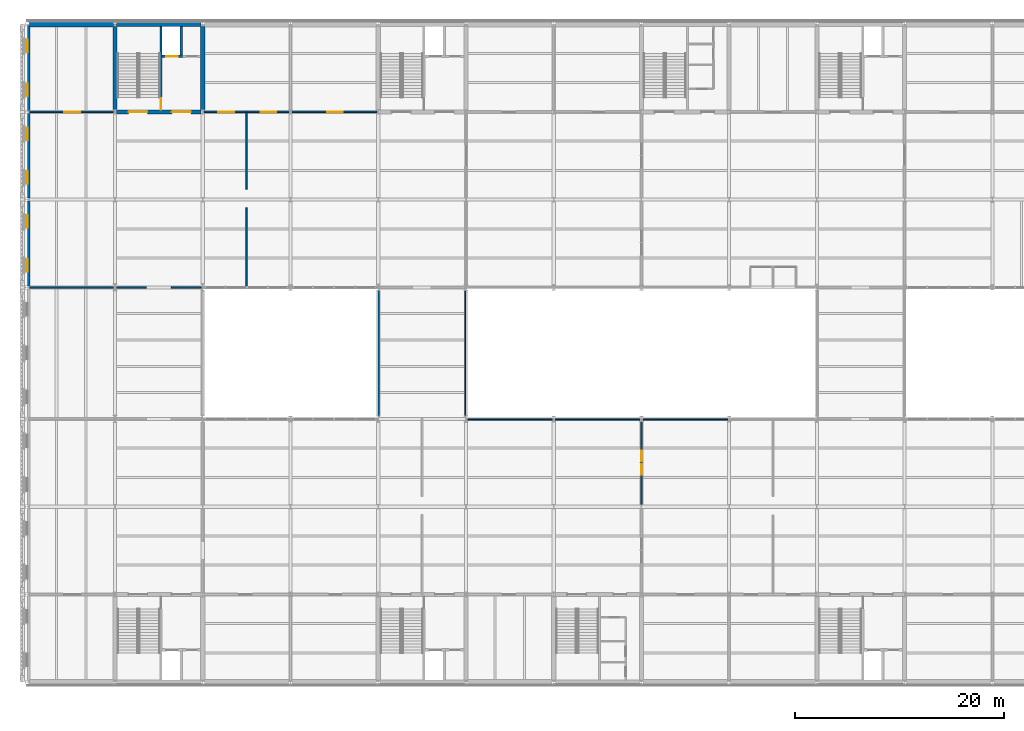
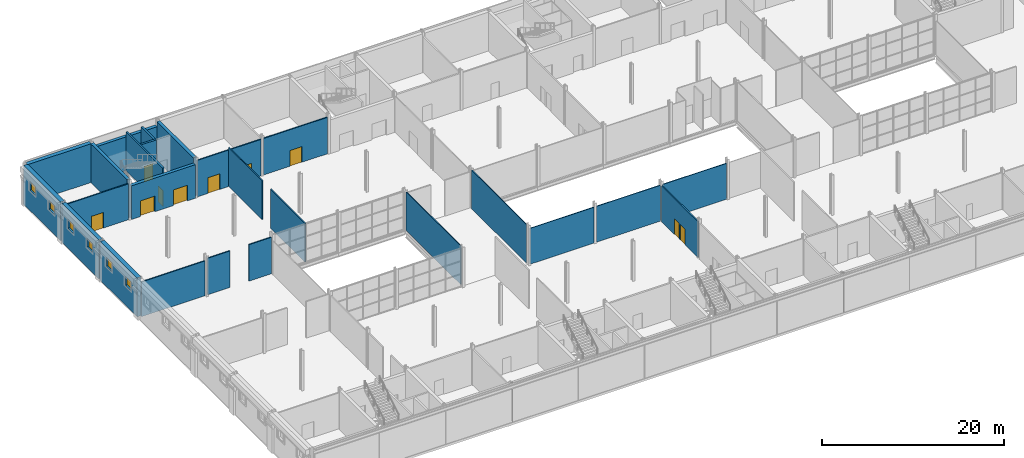
# One storey, part 30 of 57: 26 walls, 10 doors, 6 windows, 16 openings.
"""IFC4 building model written with IfcOpenShell, lengths in metres."""

from ifc_helpers import new_model, si_unit, direction, frame, frame_2d, origin, place, context, subcontext, project, spatial, rectangle, extrude, material, layer, layer_set, type_object, element, fill, save


model = new_model("IFC4")

# Units and contexts
model_context = context("Model", 3, precision=1e-05, world=origin(), true_north=direction((0.0, 1.0)))
body_context = subcontext(model_context, "Body", "Model", "MODEL_VIEW")
ifc_project = project(units=[si_unit("LENGTHUNIT", "METRE"), si_unit("AREAUNIT", "SQUARE_METRE"), si_unit("VOLUMEUNIT", "CUBIC_METRE"), si_unit("PLANEANGLEUNIT", "RADIAN"), si_unit("MASSUNIT", "GRAM", prefix="KILO")], contexts=[model_context])

# Site, building, storey
site_placement = place(None, origin())
site = spatial("IfcSite", under=ifc_project, at=site_placement, CompositionType="ELEMENT")
building_placement = place(site_placement, origin())
building = spatial("IfcBuilding", under=site, at=building_placement, Name="Galleria Vessillo Department Store", CompositionType="ELEMENT")
storey_placement = place(building_placement, frame((0.0, 0.0, 25.800048828125)))
storey = spatial("IfcBuildingStorey", under=building, at=storey_placement, Name="L05", CompositionType="ELEMENT", Elevation=25.800048828125)

# Wall, openings, doors
ifc_material_1 = material(Name="Concrete blockwork", Category="masonry")
ifc_layer_1 = layer(ifc_material_1, 0.14990234375)
ifc_layer_set_1 = layer_set([ifc_layer_1], Name="Concrete blockwork")
wall_type_1 = type_object("IfcWallType", Name="Fire-resisting dividing wall EI 120 150 mm", PredefinedType="SOLIDWALL", material=ifc_layer_set_1)
wall_1_placement = place(storey_placement, frame((58.800048828125, 17.0, 0.0), z_axis=(0.0, 0.0, 1.0), x_axis=(0.0, 1.0, 0.0)))
wall_1 = element("IfcWall", 1, at=wall_1_placement, inside=storey, type_object=wall_type_1, Name="Partition wall PT12 on L05 no. 046", PredefinedType="SOLIDWALL", context=body_context, shape_type="SweptSolid", body=[
    extrude(rectangle(XDim=7.93798828125, YDim=0.14990234375, at=frame_2d((3.968994140625, 0.0))), origin(), (0.0, 0.0, 1.0), 4.809814453125),
])
opening_1_placement = place(wall_1_placement, frame((2.85009765625, 0.0, 0.0)))
opening_1 = element("IfcOpeningElement", 2, at=opening_1_placement, cuts=wall_1, Name="Opening D2727", PredefinedType="OPENING", context=body_context, shape_type="SweptSolid", body=[
    extrude(rectangle(XDim=1.0, YDim=2.10009765625, at=frame_2d((0.5, 1.050048828125))), frame((0.0, 0.0849609375, 0.0), z_axis=(0.0, -1.0, 0.0), x_axis=(1.0, 0.0, 0.0)), (0.0, 0.0, 1.0), 0.169921875),
])
opening_2_placement = place(wall_1_placement, frame((4.14990234375, 0.0, 0.0)))
opening_2 = element("IfcOpeningElement", 3, at=opening_2_placement, cuts=wall_1, Name="Opening D2728", PredefinedType="OPENING", context=body_context, shape_type="SweptSolid", body=[
    extrude(rectangle(XDim=1.0, YDim=2.10009765625, at=frame_2d((0.5, 1.050048828125))), frame((0.0, 0.0849609375, 0.0), z_axis=(0.0, -1.0, 0.0), x_axis=(1.0, 0.0, 0.0)), (0.0, 0.0, 1.0), 0.169921875),
])
ifc_material_2 = material(Name="Steel fire door leaf", Category="steel")
door_type_1 = type_object("IfcDoorType", Name="Fire door EI2 120-Sa 1000 single leaf", OperationType="SINGLE_SWING_LEFT", PredefinedType="DOOR", material=ifc_material_2)
door_1_placement = place(opening_1_placement, origin())
door_1 = element("IfcDoor", 4, at=door_1_placement, inside=storey, type_object=door_type_1, Name="Door D2727", OperationType="SINGLE_SWING_LEFT", OverallHeight=2.10009765625, OverallWidth=1.0, PredefinedType="DOOR", context=body_context, shape_type="SweptSolid", body=[
    extrude(rectangle(XDim=1.0, YDim=2.10009765625, at=frame_2d((0.5, 1.050048828125))), frame((0.0, 0.02490234375, 0.0), z_axis=(0.0, -1.0, 0.0), x_axis=(1.0, 0.0, 0.0)), (0.0, 0.0, 1.0), 0.050048828125),
])
fill(opening_1, door_1)
door_2_placement = place(opening_2_placement, frame((1.0, 0.0, 0.0), z_axis=(0.0, 0.0, 1.0), x_axis=(-1.0, 0.0, 0.0)))
door_2 = element("IfcDoor", 5, at=door_2_placement, inside=storey, type_object=door_type_1, Name="Door D2728", OperationType="SINGLE_SWING_RIGHT", OverallHeight=2.10009765625, OverallWidth=1.0, PredefinedType="DOOR", context=body_context, shape_type="SweptSolid", body=[
    extrude(rectangle(XDim=1.0, YDim=2.10009765625, at=frame_2d((0.5, 1.050048828125))), frame((0.0, 0.02490234375, 0.0), z_axis=(0.0, -1.0, 0.0), x_axis=(1.0, 0.0, 0.0)), (0.0, 0.0, 1.0), 0.050048828125),
])
fill(opening_2, door_2)

# Walls
ifc_material_3 = material(Name="Fire-resisting glass in steel frame S355 J2", Category="steel")
ifc_layer_2 = layer(ifc_material_3, 0.10009765625)
ifc_layer_set_2 = layer_set([ifc_layer_2], Name="Fire-resisting glass in steel frame S355 J2")
wall_type_2 = type_object("IfcWallType", Name="Fire-resisting glazed screen EI 120-Sa 100 mm", PredefinedType="PARTITIONING", material=ifc_layer_set_2)
wall_2_placement = place(storey_placement, frame((42.152587890625, 25.14990234375, 0.0), z_axis=(0.0, 0.0, 1.0), x_axis=(1.0, 0.0, 0.0)))
element("IfcWall", 6, at=wall_2_placement, inside=storey, type_object=wall_type_2, Name="Fire screen, atrium edge L05", PredefinedType="PARTITIONING", context=body_context, shape_type="SweptSolid", body=[
    extrude(rectangle(XDim=8.094482421875, YDim=0.10009765625, at=frame_2d((4.04736328125, 0.0))), origin(), (0.0, 0.0, 1.0), 4.809814453125),
])
wall_3_placement = place(storey_placement, frame((50.552978515625, 25.14990234375, 0.0), z_axis=(0.0, 0.0, 1.0), x_axis=(1.0, 0.0, 0.0)))
element("IfcWall", 7, at=wall_3_placement, inside=storey, type_object=wall_type_2, Name="Fire screen, atrium edge L05", PredefinedType="PARTITIONING", context=body_context, shape_type="SweptSolid", body=[
    extrude(rectangle(XDim=8.093994140625, YDim=0.10009765625, at=frame_2d((4.046875, 0.0))), origin(), (0.0, 0.0, 1.0), 4.809814453125),
])
wall_4_placement = place(storey_placement, frame((58.952880859375, 25.14990234375, 0.0), z_axis=(0.0, 0.0, 1.0), x_axis=(1.0, 0.0, 0.0)))
element("IfcWall", 8, at=wall_4_placement, inside=storey, type_object=wall_type_2, Name="Fire screen, atrium edge L05", PredefinedType="PARTITIONING", context=body_context, shape_type="SweptSolid", body=[
    extrude(rectangle(XDim=8.09423828125, YDim=0.10009765625, at=frame_2d((4.047119140625, 0.0))), origin(), (0.0, 0.0, 1.0), 4.809814453125),
])
for number, where, z_axis, x_axis, name in (
    (9, (33.64990234375, 25.510009765625, 0.0), (0.0, 0.0, 1.0), (0.0, 1.0, 0.0), "Fire screen, bridge face L05"),
    (10, (41.949951171875, 25.510009765625, 0.0), (0.0, 0.0, 1.0), (0.0, 1.0, 0.0), "Fire screen, bridge face L05"),
):
    element("IfcWall", number, at=place(storey_placement, frame(where, z_axis=z_axis, x_axis=x_axis)), inside=storey, type_object=wall_type_2, Name=name, PredefinedType="PARTITIONING", context=body_context, shape_type="SweptSolid", body=[
        extrude(rectangle(XDim=11.97998046875, YDim=0.10009765625, at=frame_2d((5.989990234375, 0.0))), origin(), (0.0, 0.0, 1.0), 5.174072265625),
    ])

# Wall, opening, door
ifc_material_4 = material(Name="Solid clay block masonry", Category="masonry")
ifc_layer_3 = layer(ifc_material_4, 0.25)
ifc_layer_set_3 = layer_set([ifc_layer_3], Name="Solid clay block masonry")
wall_type_3 = type_object("IfcWallType", Name="Lift shaft wall 250 mm", PredefinedType="SOLIDWALL", material=ifc_layer_set_3)
wall_5_placement = place(storey_placement, frame((12.89990234375, 59.925048828125, 0.0), z_axis=(0.0, 0.0, 1.0), x_axis=(1.0, 0.0, 0.0)))
wall_5 = element("IfcWall", 11, at=wall_5_placement, inside=storey, type_object=wall_type_3, Name="Lift shaft wall LP2 landing side L05", PredefinedType="SOLIDWALL", context=body_context, shape_type="SweptSolid", body=[
    extrude(rectangle(XDim=1.9501953125, YDim=0.25, at=frame_2d((0.97509765625, 0.0))), origin(), (0.0, 0.0, 1.0), 5.199951171875),
])
opening_3_placement = place(wall_5_placement, frame((0.425048828125, 0.0, 0.0)))
opening_3 = element("IfcOpeningElement", 12, at=opening_3_placement, cuts=wall_5, Name="Opening LD016", PredefinedType="OPENING", context=body_context, shape_type="SweptSolid", body=[
    extrude(rectangle(XDim=1.10009765625, YDim=2.10009765625, at=frame_2d((0.550048828125, 1.050048828125))), frame((0.0, 0.135009765625, 0.0), z_axis=(0.0, -1.0, 0.0), x_axis=(1.0, 0.0, 0.0)), (0.0, 0.0, 1.0), 0.27001953125),
])
ifc_material_5 = material(Name="Stainless steel lift door panel", Category="steel")
door_type_2 = type_object("IfcDoorType", Name="Lift landing door LD110 sliding 1100 x 2100", OperationType="SLIDING_TO_LEFT", PredefinedType="DOOR", material=ifc_material_5)
door_3_placement = place(opening_3_placement, frame((1.10009765625, 0.0, 0.0), z_axis=(0.0, 0.0, 1.0), x_axis=(-1.0, 0.0, 0.0)))
door_3 = element("IfcDoor", 13, at=door_3_placement, inside=storey, type_object=door_type_2, Name="Lift landing door LP2 L05", OperationType="SLIDING_TO_RIGHT", OverallHeight=2.10009765625, OverallWidth=1.10009765625, PredefinedType="DOOR", context=body_context, shape_type="SweptSolid", body=[
    extrude(rectangle(XDim=1.10009765625, YDim=2.10009765625, at=frame_2d((0.550048828125, 1.050048828125))), frame((0.0, 0.02490234375, 0.0), z_axis=(0.0, -1.0, 0.0), x_axis=(1.0, 0.0, 0.0)), (0.0, 0.0, 1.0), 0.050048828125),
])
fill(opening_3, door_3)

# Wall
wall_6_placement = place(storey_placement, frame((14.72509765625, 62.800048828125, 0.0), z_axis=(0.0, 0.0, 1.0), x_axis=(0.0, -1.0, 0.0)))
element("IfcWall", 14, at=wall_6_placement, inside=storey, type_object=wall_type_3, Name="Lift shaft wall LP2 L05", PredefinedType="SOLIDWALL", context=body_context, shape_type="SweptSolid", body=[
    extrude(rectangle(XDim=2.75, YDim=0.25, at=frame_2d((1.375, 0.0))), origin(), (0.0, 0.0, 1.0), 5.199951171875),
])

# Wall, openings, windows
ifc_material_6 = material(Name="Reinforced masonry, limestone units 80 MPa", Category="masonry")
ifc_layer_4 = layer(ifc_material_6, 0.5)
ifc_layer_set_4 = layer_set([ifc_layer_4], Name="Reinforced masonry, limestone units 80 MPa")
wall_type_4 = type_object("IfcWallType", Name="Load-bearing limestone-faced wall 500 mm", PredefinedType="STANDARD", material=ifc_layer_set_4)
wall_7_placement = place(storey_placement, frame((0.0, 37.949951171875, 0.0), z_axis=(0.0, 0.0, 1.0), x_axis=(0.0, 1.0, 0.0)))
wall_7 = element("IfcWall", 15, at=wall_7_placement, inside=storey, type_object=wall_type_4, Name="Load-bearing limestone-faced wall 500 mm SW-L05-05", PredefinedType="STANDARD", context=body_context, shape_type="SweptSolid", body=[
    extrude(rectangle(XDim=8.10009765625, YDim=0.5, at=frame_2d((4.050048828125, 0.0))), origin(), (0.0, 0.0, 1.0), 5.199951171875),
])
opening_4_placement = place(wall_7_placement, frame((1.35009765625, 0.0, 2.699951171875)))
opening_4 = element("IfcOpeningElement", 16, at=opening_4_placement, cuts=wall_7, Name="Opening W074", PredefinedType="OPENING", context=body_context, shape_type="SweptSolid", body=[
    extrude(rectangle(XDim=1.199951171875, YDim=1.199951171875, at=frame_2d((0.60009765625, 0.60009765625))), frame((0.0, 0.260009765625, 0.0), z_axis=(0.0, -1.0, 0.0), x_axis=(1.0, 0.0, 0.0)), (0.0, 0.0, 1.0), 0.52001953125),
])
opening_5_placement = place(wall_7_placement, frame((5.550048828125, 0.0, 2.699951171875)))
opening_5 = element("IfcOpeningElement", 17, at=opening_5_placement, cuts=wall_7, Name="Opening W075", PredefinedType="OPENING", context=body_context, shape_type="SweptSolid", body=[
    extrude(rectangle(XDim=1.199951171875, YDim=1.199951171875, at=frame_2d((0.60009765625, 0.60009765625))), frame((0.0, 0.260009765625, 0.0), z_axis=(0.0, -1.0, 0.0), x_axis=(1.0, 0.0, 0.0)), (0.0, 0.0, 1.0), 0.52001953125),
])
ifc_material_7 = material(Name="Aluminium frame with laminated glass 44.2", Category="aluminium")
window_type = type_object("IfcWindowType", Name="Attic window 1200 x 1200", PartitioningType="SINGLE_PANEL", PredefinedType="WINDOW", material=ifc_material_7)
window_1_placement = place(opening_4_placement, origin())
window_1 = element("IfcWindow", 18, at=window_1_placement, inside=storey, type_object=window_type, Name="E-WIN-SW-L05-05-074", OverallHeight=1.199951171875, OverallWidth=1.199951171875, PartitioningType="SINGLE_PANEL", PredefinedType="WINDOW", context=body_context, shape_type="SweptSolid", body=[
    extrude(rectangle(XDim=1.199951171875, YDim=1.199951171875, at=frame_2d((0.60009765625, 0.60009765625))), frame((0.0, 0.030029296875, 0.0), z_axis=(0.0, -1.0, 0.0), x_axis=(1.0, 0.0, 0.0)), (0.0, 0.0, 1.0), 0.06005859375),
])
fill(opening_4, window_1)
window_2_placement = place(opening_5_placement, origin())
window_2 = element("IfcWindow", 19, at=window_2_placement, inside=storey, type_object=window_type, Name="E-WIN-SW-L05-05-075", OverallHeight=1.199951171875, OverallWidth=1.199951171875, PartitioningType="SINGLE_PANEL", PredefinedType="WINDOW", context=body_context, shape_type="SweptSolid", body=[
    extrude(rectangle(XDim=1.199951171875, YDim=1.199951171875, at=frame_2d((0.60009765625, 0.60009765625))), frame((0.0, 0.030029296875, 0.0), z_axis=(0.0, -1.0, 0.0), x_axis=(1.0, 0.0, 0.0)), (0.0, 0.0, 1.0), 0.06005859375),
])
fill(opening_5, window_2)

wall_8_placement = place(storey_placement, frame((0.0, 46.349853515625, 0.0), z_axis=(0.0, 0.0, 1.0), x_axis=(0.0, 1.0, 0.0)))
wall_8 = element("IfcWall", 20, at=wall_8_placement, inside=storey, type_object=wall_type_4, Name="Load-bearing limestone-faced wall 500 mm SW-L05-06", PredefinedType="STANDARD", context=body_context, shape_type="SweptSolid", body=[
    extrude(rectangle(XDim=8.100341796875, YDim=0.5, at=frame_2d((4.05029296875, 0.0))), origin(), (0.0, 0.0, 1.0), 5.199951171875),
])
opening_6_placement = place(wall_8_placement, frame((1.35009765625, 0.0, 2.699951171875)))
opening_6 = element("IfcOpeningElement", 21, at=opening_6_placement, cuts=wall_8, Name="Opening W076", PredefinedType="OPENING", context=body_context, shape_type="SweptSolid", body=[
    extrude(rectangle(XDim=1.199951171875, YDim=1.199951171875, at=frame_2d((0.60009765625, 0.60009765625))), frame((0.0, 0.260009765625, 0.0), z_axis=(0.0, -1.0, 0.0), x_axis=(1.0, 0.0, 0.0)), (0.0, 0.0, 1.0), 0.52001953125),
])
opening_7_placement = place(wall_8_placement, frame((5.550048828125, 0.0, 2.699951171875)))
opening_7 = element("IfcOpeningElement", 22, at=opening_7_placement, cuts=wall_8, Name="Opening W077", PredefinedType="OPENING", context=body_context, shape_type="SweptSolid", body=[
    extrude(rectangle(XDim=1.199951171875, YDim=1.199951171875, at=frame_2d((0.60009765625, 0.60009765625))), frame((0.0, 0.260009765625, 0.0), z_axis=(0.0, -1.0, 0.0), x_axis=(1.0, 0.0, 0.0)), (0.0, 0.0, 1.0), 0.52001953125),
])
window_3_placement = place(opening_6_placement, origin())
window_3 = element("IfcWindow", 23, at=window_3_placement, inside=storey, type_object=window_type, Name="E-WIN-SW-L05-06-076", OverallHeight=1.199951171875, OverallWidth=1.199951171875, PartitioningType="SINGLE_PANEL", PredefinedType="WINDOW", context=body_context, shape_type="SweptSolid", body=[
    extrude(rectangle(XDim=1.199951171875, YDim=1.199951171875, at=frame_2d((0.60009765625, 0.60009765625))), frame((0.0, 0.030029296875, 0.0), z_axis=(0.0, -1.0, 0.0), x_axis=(1.0, 0.0, 0.0)), (0.0, 0.0, 1.0), 0.06005859375),
])
fill(opening_6, window_3)
window_4_placement = place(opening_7_placement, origin())
window_4 = element("IfcWindow", 24, at=window_4_placement, inside=storey, type_object=window_type, Name="E-WIN-SW-L05-06-077", OverallHeight=1.199951171875, OverallWidth=1.199951171875, PartitioningType="SINGLE_PANEL", PredefinedType="WINDOW", context=body_context, shape_type="SweptSolid", body=[
    extrude(rectangle(XDim=1.199951171875, YDim=1.199951171875, at=frame_2d((0.60009765625, 0.60009765625))), frame((0.0, 0.030029296875, 0.0), z_axis=(0.0, -1.0, 0.0), x_axis=(1.0, 0.0, 0.0)), (0.0, 0.0, 1.0), 0.06005859375),
])
fill(opening_7, window_4)

wall_9_placement = place(storey_placement, frame((0.0, 54.75, 0.0), z_axis=(0.0, 0.0, 1.0), x_axis=(0.0, 1.0, 0.0)))
wall_9 = element("IfcWall", 25, at=wall_9_placement, inside=storey, type_object=wall_type_4, Name="Load-bearing limestone-faced wall 500 mm SW-L05-07", PredefinedType="STANDARD", context=body_context, shape_type="SweptSolid", body=[
    extrude(rectangle(XDim=8.10009765625, YDim=0.5, at=frame_2d((4.050048828125, 0.0))), origin(), (0.0, 0.0, 1.0), 5.199951171875),
])
opening_8_placement = place(wall_9_placement, frame((1.35009765625, 0.0, 2.699951171875)))
opening_8 = element("IfcOpeningElement", 26, at=opening_8_placement, cuts=wall_9, Name="Opening W078", PredefinedType="OPENING", context=body_context, shape_type="SweptSolid", body=[
    extrude(rectangle(XDim=1.199951171875, YDim=1.199951171875, at=frame_2d((0.60009765625, 0.60009765625))), frame((0.0, 0.260009765625, 0.0), z_axis=(0.0, -1.0, 0.0), x_axis=(1.0, 0.0, 0.0)), (0.0, 0.0, 1.0), 0.52001953125),
])
opening_9_placement = place(wall_9_placement, frame((5.550048828125, 0.0, 2.699951171875)))
opening_9 = element("IfcOpeningElement", 27, at=opening_9_placement, cuts=wall_9, Name="Opening W079", PredefinedType="OPENING", context=body_context, shape_type="SweptSolid", body=[
    extrude(rectangle(XDim=1.199951171875, YDim=1.199951171875, at=frame_2d((0.60009765625, 0.60009765625))), frame((0.0, 0.260009765625, 0.0), z_axis=(0.0, -1.0, 0.0), x_axis=(1.0, 0.0, 0.0)), (0.0, 0.0, 1.0), 0.52001953125),
])
window_5_placement = place(opening_8_placement, origin())
window_5 = element("IfcWindow", 28, at=window_5_placement, inside=storey, type_object=window_type, Name="E-WIN-SW-L05-07-078", OverallHeight=1.199951171875, OverallWidth=1.199951171875, PartitioningType="SINGLE_PANEL", PredefinedType="WINDOW", context=body_context, shape_type="SweptSolid", body=[
    extrude(rectangle(XDim=1.199951171875, YDim=1.199951171875, at=frame_2d((0.60009765625, 0.60009765625))), frame((0.0, 0.030029296875, 0.0), z_axis=(0.0, -1.0, 0.0), x_axis=(1.0, 0.0, 0.0)), (0.0, 0.0, 1.0), 0.06005859375),
])
fill(opening_8, window_5)
window_6_placement = place(opening_9_placement, origin())
window_6 = element("IfcWindow", 29, at=window_6_placement, inside=storey, type_object=window_type, Name="E-WIN-SW-L05-07-079", OverallHeight=1.199951171875, OverallWidth=1.199951171875, PartitioningType="SINGLE_PANEL", PredefinedType="WINDOW", context=body_context, shape_type="SweptSolid", body=[
    extrude(rectangle(XDim=1.199951171875, YDim=1.199951171875, at=frame_2d((0.60009765625, 0.60009765625))), frame((0.0, 0.030029296875, 0.0), z_axis=(0.0, -1.0, 0.0), x_axis=(1.0, 0.0, 0.0)), (0.0, 0.0, 1.0), 0.06005859375),
])
fill(opening_9, window_6)

# Wall, openings, doors
ifc_material_8 = material(Name="Concrete C32/40 reinforced", Category="concrete")
ifc_layer_5 = layer(ifc_material_8, 0.39990234375)
ifc_layer_set_5 = layer_set([ifc_layer_5], Name="Concrete C32/40 reinforced")
wall_type_5 = type_object("IfcWallType", Name="Reinforced concrete core wall 400 mm", PredefinedType="SHEAR", material=ifc_layer_set_5)
wall_10_placement = place(storey_placement, frame((8.5498046875, 54.60009765625, 0.0), z_axis=(0.0, 0.0, 1.0), x_axis=(1.0, 0.0, 0.0)))
wall_10 = element("IfcWall", 30, at=wall_10_placement, inside=storey, type_object=wall_type_5, Name="S-CW-PC-NW-INTERIOR-L05", PredefinedType="SHEAR", context=body_context, shape_type="SweptSolid", body=[
    extrude(rectangle(XDim=8.100341796875, YDim=0.39990234375, at=frame_2d((4.05029296875, 0.0))), origin(), (0.0, 0.0, 1.0), 4.510009765625),
])
opening_10_placement = place(wall_10_placement, frame((1.150146484375, 0.0, 0.0)))
opening_10 = element("IfcOpeningElement", 31, at=opening_10_placement, cuts=wall_10, Name="Opening D5063", PredefinedType="OPENING", context=body_context, shape_type="SweptSolid", body=[
    extrude(rectangle(XDim=1.800048828125, YDim=2.10009765625, at=frame_2d((0.89990234375, 1.050048828125))), frame((0.0, 0.2099609375, 0.0), z_axis=(0.0, -1.0, 0.0), x_axis=(1.0, 0.0, 0.0)), (0.0, 0.0, 1.0), 0.419921875),
])
opening_11_placement = place(wall_10_placement, frame((5.300048828125, 0.0, 0.0)))
opening_11 = element("IfcOpeningElement", 32, at=opening_11_placement, cuts=wall_10, Name="Opening D5064", PredefinedType="OPENING", context=body_context, shape_type="SweptSolid", body=[
    extrude(rectangle(XDim=1.800048828125, YDim=2.10009765625, at=frame_2d((0.89990234375, 1.050048828125))), frame((0.0, 0.2099609375, 0.0), z_axis=(0.0, -1.0, 0.0), x_axis=(1.0, 0.0, 0.0)), (0.0, 0.0, 1.0), 0.419921875),
])
ifc_material_9 = material(Name="Fire-rated steel door leaf", Category="steel")
door_type_3 = type_object("IfcDoorType", Name="Door D180F double leaf 1800 x 2100", OperationType="DOUBLE_DOOR_SINGLE_SWING", PredefinedType="DOOR", material=ifc_material_9)
door_4_placement = place(opening_10_placement, origin())
door_4 = element("IfcDoor", 33, at=door_4_placement, inside=storey, type_object=door_type_3, Name="Lobby door PC-NW-ST-FLOOR L05", OperationType="DOUBLE_DOOR_SINGLE_SWING", OverallHeight=2.10009765625, OverallWidth=1.800048828125, PredefinedType="DOOR", context=body_context, shape_type="SweptSolid", body=[
    extrude(rectangle(XDim=1.800048828125, YDim=2.10009765625, at=frame_2d((0.89990234375, 1.050048828125))), frame((0.0, 0.02490234375, 0.0), z_axis=(0.0, -1.0, 0.0), x_axis=(1.0, 0.0, 0.0)), (0.0, 0.0, 1.0), 0.050048828125),
])
fill(opening_10, door_4)
door_5_placement = place(opening_11_placement, origin())
door_5 = element("IfcDoor", 34, at=door_5_placement, inside=storey, type_object=door_type_3, Name="Lobby door PC-NW-LOBBY-FLOOR L05", OperationType="DOUBLE_DOOR_SINGLE_SWING", OverallHeight=2.10009765625, OverallWidth=1.800048828125, PredefinedType="DOOR", context=body_context, shape_type="SweptSolid", body=[
    extrude(rectangle(XDim=1.800048828125, YDim=2.10009765625, at=frame_2d((0.89990234375, 1.050048828125))), frame((0.0, 0.02490234375, 0.0), z_axis=(0.0, -1.0, 0.0), x_axis=(1.0, 0.0, 0.0)), (0.0, 0.0, 1.0), 0.050048828125),
])
fill(opening_11, door_5)

# Walls
wall_11_placement = place(storey_placement, frame((16.800048828125, 54.800048828125, 0.0), z_axis=(0.0, 0.0, 1.0), x_axis=(0.0, 1.0, 0.0)))
element("IfcWall", 35, at=wall_11_placement, inside=storey, type_object=wall_type_5, Name="S-CW-PC-NW-EAST-L05", PredefinedType="SHEAR", context=body_context, shape_type="SweptSolid", body=[
    extrude(rectangle(XDim=8.0, YDim=0.39990234375, at=frame_2d((4.0, 0.0))), origin(), (0.0, 0.0, 1.0), 5.199951171875),
])
ifc_material_10 = material(Name="Concrete C32/40 reinforced", Category="concrete")
ifc_layer_6 = layer(ifc_material_10, 0.39990234375)
ifc_layer_set_6 = layer_set([ifc_layer_6], Name="Concrete C32/40 reinforced")
wall_type_6 = type_object("IfcWallType", Name="Reinforced concrete core wall 400 mm, external", PredefinedType="SHEAR", material=ifc_layer_set_6)
wall_12_placement = place(storey_placement, frame((8.5498046875, 63.0, 0.0), z_axis=(0.0, 0.0, 1.0), x_axis=(1.0, 0.0, 0.0)))
element("IfcWall", 36, at=wall_12_placement, inside=storey, type_object=wall_type_6, Name="S-CW-PC-NW-PARTY-L05", PredefinedType="SHEAR", context=body_context, shape_type="SweptSolid", body=[
    extrude(rectangle(XDim=8.100341796875, YDim=0.39990234375, at=frame_2d((4.05029296875, 0.0))), origin(), (0.0, 0.0, 1.0), 4.510009765625),
])
wall_13_placement = place(storey_placement, frame((8.39990234375, 54.800048828125, 0.0), z_axis=(0.0, 0.0, 1.0), x_axis=(0.0, 1.0, 0.0)))
element("IfcWall", 37, at=wall_13_placement, inside=storey, type_object=wall_type_6, Name="S-CW-PC-NW-WEST-L05", PredefinedType="SHEAR", context=body_context, shape_type="SweptSolid", body=[
    extrude(rectangle(XDim=8.0, YDim=0.39990234375, at=frame_2d((4.0, 0.0))), origin(), (0.0, 0.0, 1.0), 5.199951171875),
])
ifc_material_11 = material(Name="Concrete C32/40 reinforced", Category="concrete")
ifc_layer_7 = layer(ifc_material_11, 0.5)
ifc_layer_set_7 = layer_set([ifc_layer_7], Name="Concrete C32/40 reinforced")
wall_type_7 = type_object("IfcWallType", Name="Reinforced concrete party wall 500 mm", PredefinedType="SHEAR", material=ifc_layer_set_7)
wall_14_placement = place(storey_placement, frame((0.199951171875, 63.0, 0.0), z_axis=(0.0, 0.0, 1.0), x_axis=(1.0, 0.0, 0.0)))
element("IfcWall", 38, at=wall_14_placement, inside=storey, type_object=wall_type_7, Name="S-PN-L05-01", PredefinedType="SHEAR", context=body_context, shape_type="SweptSolid", body=[
    extrude(rectangle(XDim=8.050048828125, YDim=0.5, at=frame_2d((4.02490234375, 0.0))), origin(), (0.0, 0.0, 1.0), 5.199951171875),
])

# Wall, opening, door
ifc_material_12 = material(Name="Concrete C32/40 reinforced", Category="concrete")
ifc_layer_8 = layer(ifc_material_12, 0.199951171875)
ifc_layer_set_8 = layer_set([ifc_layer_8], Name="Concrete C32/40 reinforced")
wall_type_8 = type_object("IfcWallType", Name="Reinforced concrete stair enclosure wall 200 mm", PredefinedType="SHEAR", material=ifc_layer_set_8)
wall_15_placement = place(storey_placement, frame((12.7998046875, 62.800048828125, 0.0), z_axis=(0.0, 0.0, 1.0), x_axis=(0.0, -1.0, 0.0)))
wall_15 = element("IfcWall", 39, at=wall_15_placement, inside=storey, type_object=wall_type_8, Name="Stair enclosure wall PC-NW L05", PredefinedType="SHEAR", context=body_context, shape_type="SweptSolid", body=[
    extrude(rectangle(XDim=8.0, YDim=0.199951171875, at=frame_2d((4.0, 0.0))), origin(), (0.0, 0.0, 1.0), 5.199951171875),
])
opening_12_placement = place(wall_15_placement, frame((6.89990234375, 0.0, 0.0)))
opening_12 = element("IfcOpeningElement", 40, at=opening_12_placement, cuts=wall_15, Name="Opening D5061", PredefinedType="OPENING", context=body_context, shape_type="SweptSolid", body=[
    extrude(rectangle(XDim=1.11009765625, YDim=2.10009765625, at=frame_2d((0.554931640625, 1.050048828125))), frame((0.0, 0.10986328125, 0.0), z_axis=(0.0, -1.0, 0.0), x_axis=(1.0, 0.0, 0.0)), (0.0, 0.0, 1.0), 0.219970703125),
])
ifc_material_13 = material(Name="Fire-rated steel door leaf", Category="steel")
door_type_4 = type_object("IfcDoorType", Name="Door D110F stair door 1100 x 2100", OperationType="SINGLE_SWING_LEFT", PredefinedType="DOOR", material=ifc_material_13)
door_6_placement = place(opening_12_placement, frame((1.10009765625, 0.0, 0.0), z_axis=(0.0, 0.0, 1.0), x_axis=(-1.0, 0.0, 0.0)))
door_6 = element("IfcDoor", 41, at=door_6_placement, inside=storey, type_object=door_type_4, Name="Stair door PC-NW-ST-LOBBY L05", OperationType="SINGLE_SWING_LEFT", OverallHeight=2.10009765625, OverallWidth=1.10009765625, PredefinedType="DOOR", context=body_context, shape_type="SweptSolid", body=[
    extrude(rectangle(XDim=1.10009765625, YDim=2.10009765625, at=frame_2d((0.550048828125, 1.050048828125))), frame((0.0, 0.02490234375, 0.0), z_axis=(0.0, -1.0, 0.0), x_axis=(1.0, 0.0, 0.0)), (0.0, 0.0, 1.0), 0.050048828125),
])
fill(opening_12, door_6)

# Walls
ifc_material_14 = material(Name="Gypsum board partition")
ifc_layer_9 = layer(ifc_material_14, 0.139892578125)
ifc_layer_set_9 = layer_set([ifc_layer_9], Name="Gypsum board partition")
wall_type_9 = type_object("IfcWallType", Name="Sales dividing wall 140 mm", PredefinedType="PARTITIONING", material=ifc_layer_set_9)
wall_16_placement = place(storey_placement, frame((21.0, 37.800048828125, 0.0), z_axis=(0.0, 0.0, 1.0), x_axis=(0.0, 1.0, 0.0)))
element("IfcWall", 42, at=wall_16_placement, inside=storey, type_object=wall_type_9, Name="Partition wall PT3 on L05 no. 056", PredefinedType="PARTITIONING", context=body_context, shape_type="SweptSolid", body=[
    extrude(rectangle(XDim=7.60009765625, YDim=0.139892578125, at=frame_2d((3.800048828125, 0.0))), origin(), (0.0, 0.0, 1.0), 5.199951171875),
])
wall_17_placement = place(storey_placement, frame((21.0, 47.199951171875, 0.0), z_axis=(0.0, 0.0, 1.0), x_axis=(0.0, 1.0, 0.0)))
element("IfcWall", 43, at=wall_17_placement, inside=storey, type_object=wall_type_9, Name="Partition wall PT3 on L05 no. 057", PredefinedType="PARTITIONING", context=body_context, shape_type="SweptSolid", body=[
    extrude(rectangle(XDim=7.400146484375, YDim=0.139892578125, at=frame_2d((3.7001953125, 0.0))), origin(), (0.0, 0.0, 1.0), 5.199951171875),
])
wall_18_placement = place(storey_placement, frame((0.199951171875, 37.800048828125, 0.0), z_axis=(0.0, 0.0, 1.0), x_axis=(1.0, 0.0, 0.0)))
element("IfcWall", 44, at=wall_18_placement, inside=storey, type_object=wall_type_9, Name="Partition wall PT3 on L05 no. 058", PredefinedType="PARTITIONING", context=body_context, shape_type="SweptSolid", body=[
    extrude(rectangle(XDim=8.04736328125, YDim=0.139892578125, at=frame_2d((4.023681640625, 0.0))), origin(), (0.0, 0.0, 1.0), 4.659912109375),
])
wall_19_placement = place(storey_placement, frame((8.552490234375, 37.800048828125, 0.0), z_axis=(0.0, 0.0, 1.0), x_axis=(1.0, 0.0, 0.0)))
element("IfcWall", 45, at=wall_19_placement, inside=storey, type_object=wall_type_9, Name="Partition wall PT3 on L05 no. 059", PredefinedType="PARTITIONING", context=body_context, shape_type="SweptSolid", body=[
    extrude(rectangle(XDim=2.849853515625, YDim=0.139892578125, at=frame_2d((1.4248046875, 0.0))), origin(), (0.0, 0.0, 1.0), 4.889892578125),
])
wall_20_placement = place(storey_placement, frame((13.802490234375, 37.800048828125, 0.0), z_axis=(0.0, 0.0, 1.0), x_axis=(1.0, 0.0, 0.0)))
element("IfcWall", 46, at=wall_20_placement, inside=storey, type_object=wall_type_9, Name="Partition wall PT3 on L05 no. 060", PredefinedType="PARTITIONING", context=body_context, shape_type="SweptSolid", body=[
    extrude(rectangle(XDim=2.844970703125, YDim=0.139892578125, at=frame_2d((1.42236328125, 0.0))), origin(), (0.0, 0.0, 1.0), 4.889892578125),
])

# Wall, opening, door
ifc_material_15 = material(Name="Concrete blockwork", Category="masonry")
ifc_layer_10 = layer(ifc_material_15, 0.14990234375)
ifc_layer_set_10 = layer_set([ifc_layer_10], Name="Concrete blockwork")
wall_type_10 = type_object("IfcWallType", Name="Stockroom blockwork wall 150 mm", PredefinedType="SOLIDWALL", material=ifc_layer_set_10)
wall_21_placement = place(storey_placement, frame((0.199951171875, 54.60009765625, 0.0), z_axis=(0.0, 0.0, 1.0), x_axis=(1.0, 0.0, 0.0)))
wall_21 = element("IfcWall", 47, at=wall_21_placement, inside=storey, type_object=wall_type_10, Name="Partition wall PT4 on L05 no. 025", PredefinedType="SOLIDWALL", context=body_context, shape_type="SweptSolid", body=[
    extrude(rectangle(XDim=8.050048828125, YDim=0.14990234375, at=frame_2d((4.02490234375, 0.0))), origin(), (0.0, 0.0, 1.0), 4.809814453125),
])
opening_13_placement = place(wall_21_placement, frame((3.35009765625, 0.0, 0.0)))
opening_13 = element("IfcOpeningElement", 48, at=opening_13_placement, cuts=wall_21, Name="Opening D2716", PredefinedType="OPENING", context=body_context, shape_type="SweptSolid", body=[
    extrude(rectangle(XDim=1.5, YDim=2.10009765625, at=frame_2d((0.75, 1.050048828125))), frame((0.0, 0.0849609375, 0.0), z_axis=(0.0, -1.0, 0.0), x_axis=(1.0, 0.0, 0.0)), (0.0, 0.0, 1.0), 0.169921875),
])
ifc_material_16 = material(Name="Steel fire door leaf", Category="steel")
door_type_5 = type_object("IfcDoorType", Name="Stockroom fire door 1500 double leaf", OperationType="DOUBLE_DOOR_SINGLE_SWING", PredefinedType="DOOR", material=ifc_material_16)
door_7_placement = place(opening_13_placement, origin())
door_7 = element("IfcDoor", 49, at=door_7_placement, inside=storey, type_object=door_type_5, Name="Door D2716", OperationType="DOUBLE_DOOR_SINGLE_SWING", OverallHeight=2.10009765625, OverallWidth=1.5, PredefinedType="DOOR", context=body_context, shape_type="SweptSolid", body=[
    extrude(rectangle(XDim=1.5, YDim=2.10009765625, at=frame_2d((0.75, 1.050048828125))), frame((0.0, 0.02490234375, 0.0), z_axis=(0.0, -1.0, 0.0), x_axis=(1.0, 0.0, 0.0)), (0.0, 0.0, 1.0), 0.050048828125),
])
fill(opening_13, door_7)

wall_22_placement = place(storey_placement, frame((16.949951171875, 54.60009765625, 0.0), z_axis=(0.0, 0.0, 1.0), x_axis=(1.0, 0.0, 0.0)))
wall_22 = element("IfcWall", 50, at=wall_22_placement, inside=storey, type_object=wall_type_10, Name="Partition wall PT4 on L05 no. 027", PredefinedType="SOLIDWALL", context=body_context, shape_type="SweptSolid", body=[
    extrude(rectangle(XDim=4.050048828125, YDim=0.14990234375, at=frame_2d((2.02490234375, 0.0))), origin(), (0.0, 0.0, 1.0), 4.889892578125),
])
opening_14_placement = place(wall_22_placement, frame((1.35009765625, 0.0, 0.0)))
opening_14 = element("IfcOpeningElement", 51, at=opening_14_placement, cuts=wall_22, Name="Opening D2717", PredefinedType="OPENING", context=body_context, shape_type="SweptSolid", body=[
    extrude(rectangle(XDim=1.5, YDim=2.10009765625, at=frame_2d((0.75, 1.050048828125))), frame((0.0, 0.0849609375, 0.0), z_axis=(0.0, -1.0, 0.0), x_axis=(1.0, 0.0, 0.0)), (0.0, 0.0, 1.0), 0.169921875),
])
door_8_placement = place(opening_14_placement, origin())
door_8 = element("IfcDoor", 52, at=door_8_placement, inside=storey, type_object=door_type_5, Name="Door D2717", OperationType="DOUBLE_DOOR_SINGLE_SWING", OverallHeight=2.10009765625, OverallWidth=1.5, PredefinedType="DOOR", context=body_context, shape_type="SweptSolid", body=[
    extrude(rectangle(XDim=1.5, YDim=2.10009765625, at=frame_2d((0.75, 1.050048828125))), frame((0.0, 0.02490234375, 0.0), z_axis=(0.0, -1.0, 0.0), x_axis=(1.0, 0.0, 0.0)), (0.0, 0.0, 1.0), 0.050048828125),
])
fill(opening_14, door_8)

wall_23_placement = place(storey_placement, frame((21.0, 54.60009765625, 0.0), z_axis=(0.0, 0.0, 1.0), x_axis=(1.0, 0.0, 0.0)))
wall_23 = element("IfcWall", 53, at=wall_23_placement, inside=storey, type_object=wall_type_10, Name="Partition wall PT4 on L05 no. 028", PredefinedType="SOLIDWALL", context=body_context, shape_type="SweptSolid", body=[
    extrude(rectangle(XDim=4.050048828125, YDim=0.14990234375, at=frame_2d((2.02490234375, 0.0))), origin(), (0.0, 0.0, 1.0), 4.889892578125),
])
opening_15_placement = place(wall_23_placement, frame((1.35009765625, 0.0, 0.0)))
opening_15 = element("IfcOpeningElement", 54, at=opening_15_placement, cuts=wall_23, Name="Opening D2718", PredefinedType="OPENING", context=body_context, shape_type="SweptSolid", body=[
    extrude(rectangle(XDim=1.5, YDim=2.10009765625, at=frame_2d((0.75, 1.050048828125))), frame((0.0, 0.0849609375, 0.0), z_axis=(0.0, -1.0, 0.0), x_axis=(1.0, 0.0, 0.0)), (0.0, 0.0, 1.0), 0.169921875),
])
door_9_placement = place(opening_15_placement, origin())
door_9 = element("IfcDoor", 55, at=door_9_placement, inside=storey, type_object=door_type_5, Name="Door D2718", OperationType="DOUBLE_DOOR_SINGLE_SWING", OverallHeight=2.10009765625, OverallWidth=1.5, PredefinedType="DOOR", context=body_context, shape_type="SweptSolid", body=[
    extrude(rectangle(XDim=1.5, YDim=2.10009765625, at=frame_2d((0.75, 1.050048828125))), frame((0.0, 0.02490234375, 0.0), z_axis=(0.0, -1.0, 0.0), x_axis=(1.0, 0.0, 0.0)), (0.0, 0.0, 1.0), 0.050048828125),
])
fill(opening_15, door_9)

wall_24_placement = place(storey_placement, frame((25.349853515625, 54.60009765625, 0.0), z_axis=(0.0, 0.0, 1.0), x_axis=(1.0, 0.0, 0.0)))
wall_24 = element("IfcWall", 56, at=wall_24_placement, inside=storey, type_object=wall_type_10, Name="Partition wall PT4 on L05 no. 029", PredefinedType="SOLIDWALL", context=body_context, shape_type="SweptSolid", body=[
    extrude(rectangle(XDim=8.100341796875, YDim=0.14990234375, at=frame_2d((4.05029296875, 0.0))), origin(), (0.0, 0.0, 1.0), 4.889892578125),
])
opening_16_placement = place(wall_24_placement, frame((3.35009765625, 0.0, 0.0)))
opening_16 = element("IfcOpeningElement", 57, at=opening_16_placement, cuts=wall_24, Name="Opening D2719", PredefinedType="OPENING", context=body_context, shape_type="SweptSolid", body=[
    extrude(rectangle(XDim=1.5, YDim=2.10009765625, at=frame_2d((0.75, 1.050048828125))), frame((0.0, 0.0849609375, 0.0), z_axis=(0.0, -1.0, 0.0), x_axis=(1.0, 0.0, 0.0)), (0.0, 0.0, 1.0), 0.169921875),
])
door_10_placement = place(opening_16_placement, origin())
door_10 = element("IfcDoor", 58, at=door_10_placement, inside=storey, type_object=door_type_5, Name="Door D2719", OperationType="DOUBLE_DOOR_SINGLE_SWING", OverallHeight=2.10009765625, OverallWidth=1.5, PredefinedType="DOOR", context=body_context, shape_type="SweptSolid", body=[
    extrude(rectangle(XDim=1.5, YDim=2.10009765625, at=frame_2d((0.75, 1.050048828125))), frame((0.0, 0.02490234375, 0.0), z_axis=(0.0, -1.0, 0.0), x_axis=(1.0, 0.0, 0.0)), (0.0, 0.0, 1.0), 0.050048828125),
])
fill(opening_16, door_10)

save(model, "model.ifc")
